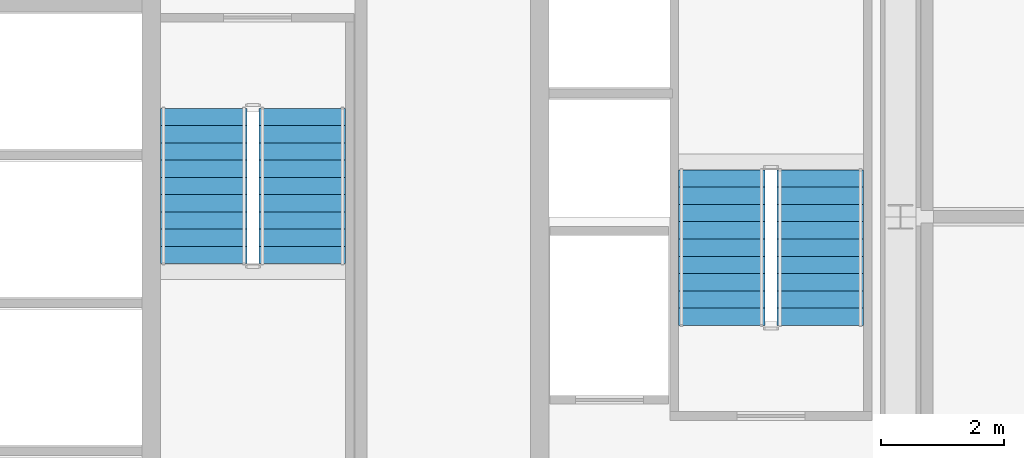
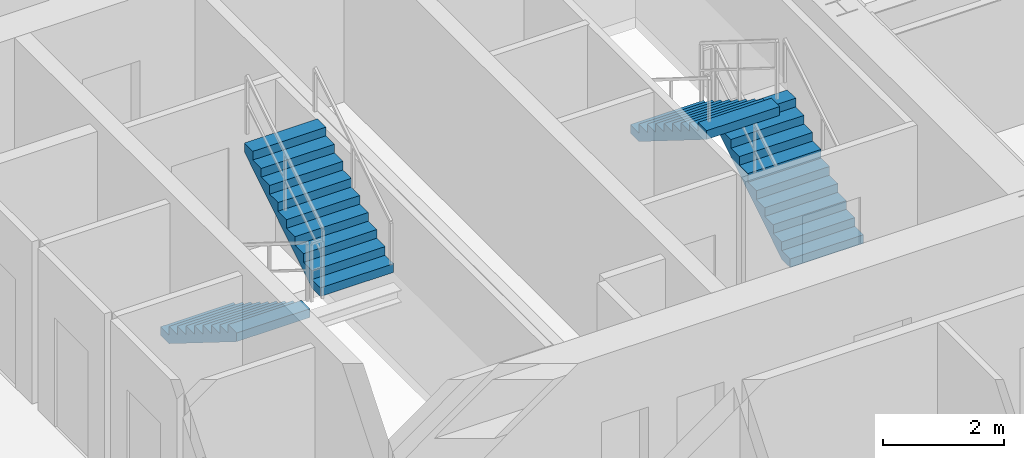
# One storey, part 37 of 38: 4 stair flights, 2 elements without a shape of their own.
"""IFC4 building model written with IfcOpenShell, lengths in metres."""

from ifc_helpers import new_model, si_unit, direction, frame, origin, place, context, subcontext, project, spatial, polyline, outline, extrude, source, transform, mapped, material, type_object, element, aggregate, save


model = new_model("IFC4")

# Units and contexts
model_context = context("Model", 3, precision=1e-05, world=origin(), true_north=direction((0.0, 1.0)))
body_context = subcontext(model_context, "Body", "Model", "MODEL_VIEW")
ifc_project = project(units=[si_unit("LENGTHUNIT", "METRE"), si_unit("AREAUNIT", "SQUARE_METRE"), si_unit("VOLUMEUNIT", "CUBIC_METRE"), si_unit("PLANEANGLEUNIT", "RADIAN"), si_unit("MASSUNIT", "GRAM", prefix="KILO"), si_unit("THERMODYNAMICTEMPERATUREUNIT", "KELVIN"), si_unit("POWERUNIT", "WATT")], contexts=[model_context])

# Site, building, storey
site_placement = place(None, origin())
site = spatial("IfcSite", under=ifc_project, at=site_placement, CompositionType="ELEMENT")
building_placement = place(site_placement, origin())
building = spatial("IfcBuilding", under=site, at=building_placement, Name="Yuzanri Waterfront Tower", CompositionType="ELEMENT")
storey_placement = place(building_placement, frame((0.0, 0.0, 202.0)))
storey = spatial("IfcBuildingStorey", under=building, at=storey_placement, Name="L53", CompositionType="ELEMENT", Elevation=202.0)

# Stair, stair flights
ifc_material_1 = material(Name="Concrete C40", Category="concrete")
stair_type = type_object("IfcStairType", Name="Concrete C40 Core Dogleg Exit Stair", PredefinedType="HALF_TURN_STAIR", material=ifc_material_1)
stair_1_placement = place(storey_placement, origin())
stair_1 = element("IfcStair", 1, at=stair_1_placement, inside=storey, type_object=stair_type, Name="L53 Smoke-Proof Core Stair ST-02", PredefinedType="HALF_TURN_STAIR")
ifc_material_2 = material(Name="Concrete C40", Category="concrete")
stair_flight_type = type_object("IfcStairFlightType", Name="Concrete C40 Precast Stair Flight 1380", PredefinedType="STRAIGHT", material=ifc_material_2)
shared_shape = source(origin(), body_context, "Body", "SweptSolid", [
    extrude(outline(polyline([(0.0, 0.0), (0.0, 0.175048828125), (0.280029296875, 0.175048828125), (0.280029296875, 0.35009765625), (0.56005859375, 0.35009765625), (0.56005859375, 0.52490234375), (0.840087890625, 0.52490234375), (0.840087890625, 0.699951171875), (1.1201171875, 0.699951171875), (1.1201171875, 0.875), (1.39990234375, 0.875), (1.39990234375, 1.050048828125), (1.679931640625, 1.050048828125), (1.679931640625, 1.22509765625), (1.9599609375, 1.22509765625), (1.9599609375, 1.39990234375), (2.239990234375, 1.39990234375), (2.239990234375, 1.574951171875), (2.52001953125, 1.574951171875), (2.52001953125, 1.75), (2.52001953125, 1.398193359375), (0.28271484375, 0.0), (0.0, 0.0)])), frame((0.0, 0.699951171875, 0.0), z_axis=(0.0, -1.0, 0.0), x_axis=(1.0, 0.0, 0.0)), (0.0, 0.0, 1.0), 1.39990234375),
])
stair_flight_1_placement = place(storey_placement, frame((48.89990234375, 24.0400390625, 0.0), z_axis=(0.0, 0.0, 1.0), x_axis=(0.0, 1.0, 0.0)))
stair_flight_1 = element("IfcStairFlight", 2, at=stair_flight_1_placement, type_object=stair_flight_type, Name="ST-02 flight 1", NumberOfRisers=10, NumberOfTreads=9, PredefinedType="STRAIGHT", RiserHeight=0.175, TreadLength=0.28, context=body_context, shape_type="MappedRepresentation", body=[
    mapped(shared_shape, transform((0.0, 0.0, 0.0), scale=1.0)),
])
stair_flight_2_placement = place(storey_placement, frame((47.300048828125, 26.56005859375, 1.75), z_axis=(0.0, 0.0, 1.0), x_axis=(0.0, -1.0, 0.0)))
stair_flight_2 = element("IfcStairFlight", 3, at=stair_flight_2_placement, type_object=stair_flight_type, Name="ST-02 flight 2", NumberOfRisers=10, NumberOfTreads=9, PredefinedType="STRAIGHT", RiserHeight=0.175, TreadLength=0.28, context=body_context, shape_type="MappedRepresentation", body=[
    mapped(shared_shape, transform((0.0, 0.0, 0.0), scale=1.0)),
])
aggregate(stair_1, [stair_flight_1, stair_flight_2])

stair_2_placement = place(storey_placement, origin())
stair_2 = element("IfcStair", 4, at=stair_2_placement, inside=storey, type_object=stair_type, Name="L53 Smoke-Proof Core Stair ST-03", PredefinedType="HALF_TURN_STAIR")
stair_flight_3_placement = place(storey_placement, frame((38.89990234375, 27.56005859375, 0.0), z_axis=(0.0, 0.0, 1.0), x_axis=(0.0, -1.0, 0.0)))
stair_flight_3 = element("IfcStairFlight", 5, at=stair_flight_3_placement, type_object=stair_flight_type, Name="ST-03 flight 1", NumberOfRisers=10, NumberOfTreads=9, PredefinedType="STRAIGHT", RiserHeight=0.175, TreadLength=0.28, context=body_context, shape_type="MappedRepresentation", body=[
    mapped(shared_shape, transform((0.0, 0.0, 0.0), scale=1.0)),
])
stair_flight_4_placement = place(storey_placement, frame((40.5, 25.0400390625, 1.75), z_axis=(0.0, 0.0, 1.0), x_axis=(0.0, 1.0, 0.0)))
stair_flight_4 = element("IfcStairFlight", 6, at=stair_flight_4_placement, type_object=stair_flight_type, Name="ST-03 flight 2", NumberOfRisers=10, NumberOfTreads=9, PredefinedType="STRAIGHT", RiserHeight=0.175, TreadLength=0.28, context=body_context, shape_type="MappedRepresentation", body=[
    mapped(shared_shape, transform((0.0, 0.0, 0.0), scale=1.0)),
])
aggregate(stair_2, [stair_flight_3, stair_flight_4])

save(model, "model.ifc")
